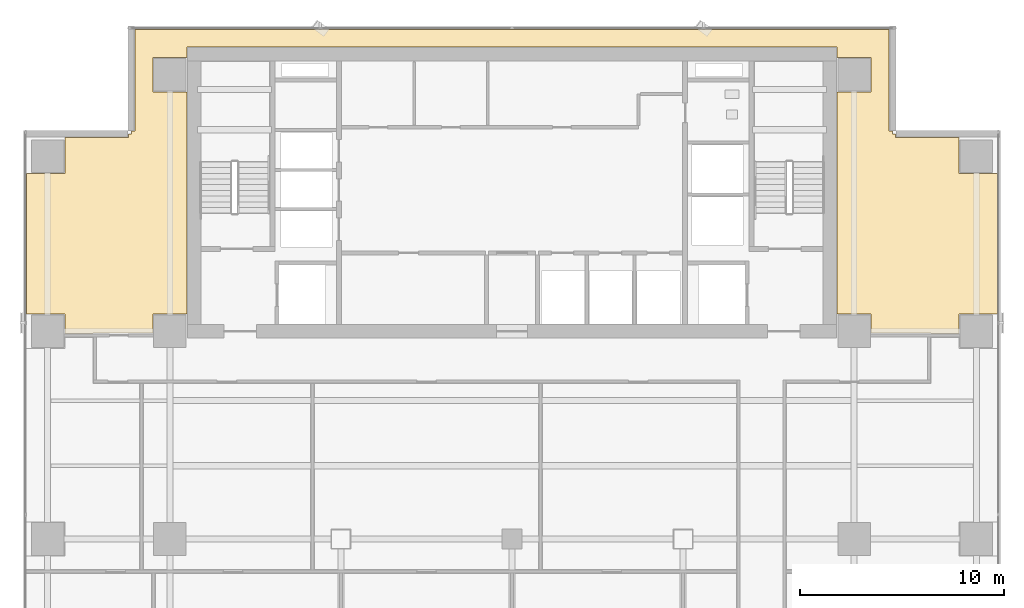
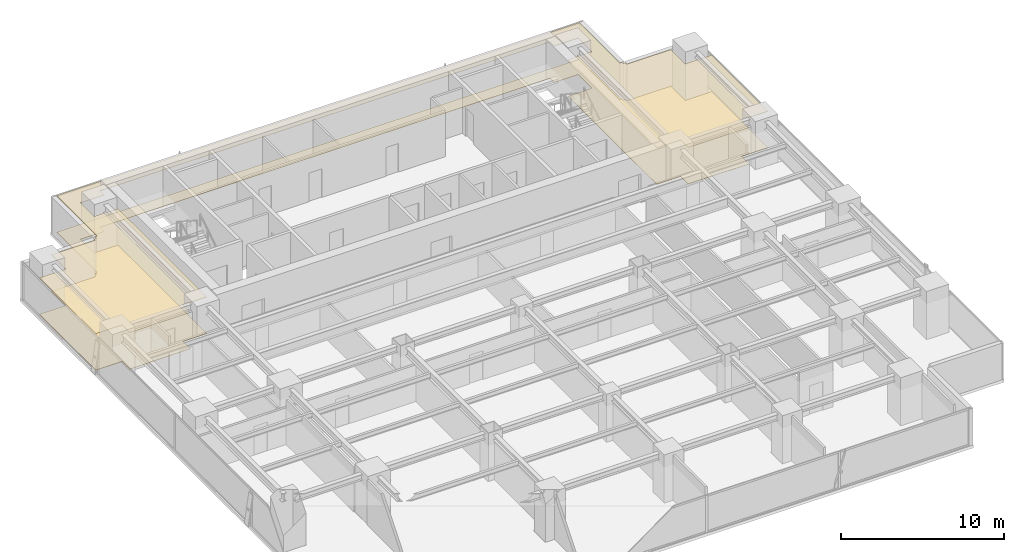
# One storey, part 26 of 28: 2 coverings.
"""IFC4 building model written with IfcOpenShell, lengths in metres."""

from ifc_helpers import new_model, si_unit, direction, frame, origin, place, context, subcontext, project, spatial, polyline, outline, extrude, material, layer, layer_set, type_object, element, save


model = new_model("IFC4")

# Units and contexts
model_context = context("Model", 3, precision=1e-05, world=origin(), true_north=direction((0.0, 1.0)))
body_context = subcontext(model_context, "Body", "Model", "MODEL_VIEW")
ifc_project = project(units=[si_unit("LENGTHUNIT", "METRE"), si_unit("AREAUNIT", "SQUARE_METRE"), si_unit("VOLUMEUNIT", "CUBIC_METRE"), si_unit("PLANEANGLEUNIT", "RADIAN"), si_unit("MASSUNIT", "GRAM", prefix="KILO")], contexts=[model_context])

# Site, building, storey
site_placement = place(None, origin())
site = spatial("IfcSite", under=ifc_project, at=site_placement, CompositionType="ELEMENT")
building_placement = place(site_placement, origin())
building = spatial("IfcBuilding", under=site, at=building_placement, Name="Sumidabori Civic Tower", CompositionType="ELEMENT")
storey_placement = place(building_placement, frame((0.0, 0.0, 146.0)))
storey = spatial("IfcBuildingStorey", under=building, at=storey_placement, Name="L37", CompositionType="ELEMENT", Elevation=146.0)

# Coverings
ifc_material_1 = material(Name="Acoustic Mineral Gypsum Ceiling Tile")
ifc_layer_1 = layer(ifc_material_1, 0.034912109375, Name="Acoustic Mineral Gypsum Ceiling Tile")
ifc_layer_set_1 = layer_set([ifc_layer_1], Name="Acoustic Mineral Gypsum Ceiling Tile")
covering_type_1 = type_object("IfcCoveringType", Name="CV-CEIL-AC1", PredefinedType="CEILING", material=ifc_layer_set_1)
covering_1_placement = place(storey_placement, frame((0.0, 0.0, 2.72998046875)))
element("IfcCovering", 1, at=covering_1_placement, inside=storey, type_object=covering_type_1, Name="Room Acoustic Ceiling L37-01", PredefinedType="CEILING", context=body_context, shape_type="SweptSolid", body=[
    extrude(outline(polyline([(-20.570068359375, 10.094970703125), (-21.9599609375, 10.094970703125), (-21.9599609375, 11.0400390625), (-23.830078125, 11.0400390625), (-23.830078125, 17.9599609375), (-21.9599609375, 17.9599609375), (-21.9599609375, 19.721923828125), (-18.842041015625, 19.721923828125), (-18.842041015625, 19.8798828125), (-18.679931640625, 19.8798828125), (-18.679931640625, 20.0419921875), (-18.52197265625, 20.0419921875), (-18.52197265625, 25.030029296875), (18.52197265625, 25.030029296875), (18.52197265625, 20.0419921875), (18.679931640625, 20.0419921875), (18.679931640625, 19.8798828125), (18.842041015625, 19.8798828125), (18.842041015625, 19.721923828125), (21.9599609375, 19.721923828125), (21.9599609375, 17.9599609375), (23.830078125, 17.9599609375), (23.830078125, 11.0400390625), (21.9599609375, 11.0400390625), (21.9599609375, 10.094970703125), (20.570068359375, 10.094970703125), (20.570068359375, 10.1201171875), (17.639892578125, 10.1201171875), (17.639892578125, 11.0400390625), (15.952880859375, 11.0400390625), (15.952880859375, 21.9599609375), (17.639892578125, 21.9599609375), (17.639892578125, 23.639892578125), (15.952880859375, 23.639892578125), (15.952880859375, 24.153076171875), (-15.952880859375, 24.153076171875), (-15.952880859375, 23.639892578125), (-17.639892578125, 23.639892578125), (-17.639892578125, 21.9599609375), (-15.952880859375, 21.9599609375), (-15.952880859375, 11.0400390625), (-17.639892578125, 11.0400390625), (-17.639892578125, 10.1201171875), (-20.570068359375, 10.1201171875), (-20.570068359375, 10.094970703125)])), origin(), (0.0, 0.0, 1.0), 0.034912109375),
])
ifc_material_2 = material(Name="Honed Terrazzo Tile Flooring")
ifc_layer_2 = layer(ifc_material_2, 0.030029296875, Name="Honed Terrazzo Tile Flooring")
ifc_layer_set_2 = layer_set([ifc_layer_2], Name="Honed Terrazzo Tile Flooring")
covering_type_2 = type_object("IfcCoveringType", Name="CV-FLR-TER", PredefinedType="FLOORING", material=ifc_layer_set_2)
covering_2_placement = place(storey_placement, origin())
element("IfcCovering", 2, at=covering_2_placement, inside=storey, type_object=covering_type_2, Name="Room Terrazzo Floor L37-01", PredefinedType="FLOORING", context=body_context, shape_type="SweptSolid", body=[
    extrude(outline(polyline([(-20.570068359375, 10.094970703125), (-21.9599609375, 10.094970703125), (-21.9599609375, 11.0400390625), (-23.830078125, 11.0400390625), (-23.830078125, 17.9599609375), (-21.9599609375, 17.9599609375), (-21.9599609375, 19.721923828125), (-18.842041015625, 19.721923828125), (-18.842041015625, 19.8798828125), (-18.679931640625, 19.8798828125), (-18.679931640625, 20.0419921875), (-18.52197265625, 20.0419921875), (-18.52197265625, 25.030029296875), (18.52197265625, 25.030029296875), (18.52197265625, 20.0419921875), (18.679931640625, 20.0419921875), (18.679931640625, 19.8798828125), (18.842041015625, 19.8798828125), (18.842041015625, 19.721923828125), (21.9599609375, 19.721923828125), (21.9599609375, 17.9599609375), (23.830078125, 17.9599609375), (23.830078125, 11.0400390625), (21.9599609375, 11.0400390625), (21.9599609375, 10.094970703125), (20.570068359375, 10.094970703125), (20.570068359375, 10.1201171875), (17.639892578125, 10.1201171875), (17.639892578125, 11.0400390625), (15.952880859375, 11.0400390625), (15.952880859375, 21.9599609375), (17.639892578125, 21.9599609375), (17.639892578125, 23.639892578125), (15.952880859375, 23.639892578125), (15.952880859375, 24.153076171875), (-15.952880859375, 24.153076171875), (-15.952880859375, 23.639892578125), (-17.639892578125, 23.639892578125), (-17.639892578125, 21.9599609375), (-15.952880859375, 21.9599609375), (-15.952880859375, 11.0400390625), (-17.639892578125, 11.0400390625), (-17.639892578125, 10.1201171875), (-20.570068359375, 10.1201171875), (-20.570068359375, 10.094970703125)])), origin(), (0.0, 0.0, 1.0), 0.030029296875),
])

save(model, "model.ifc")
